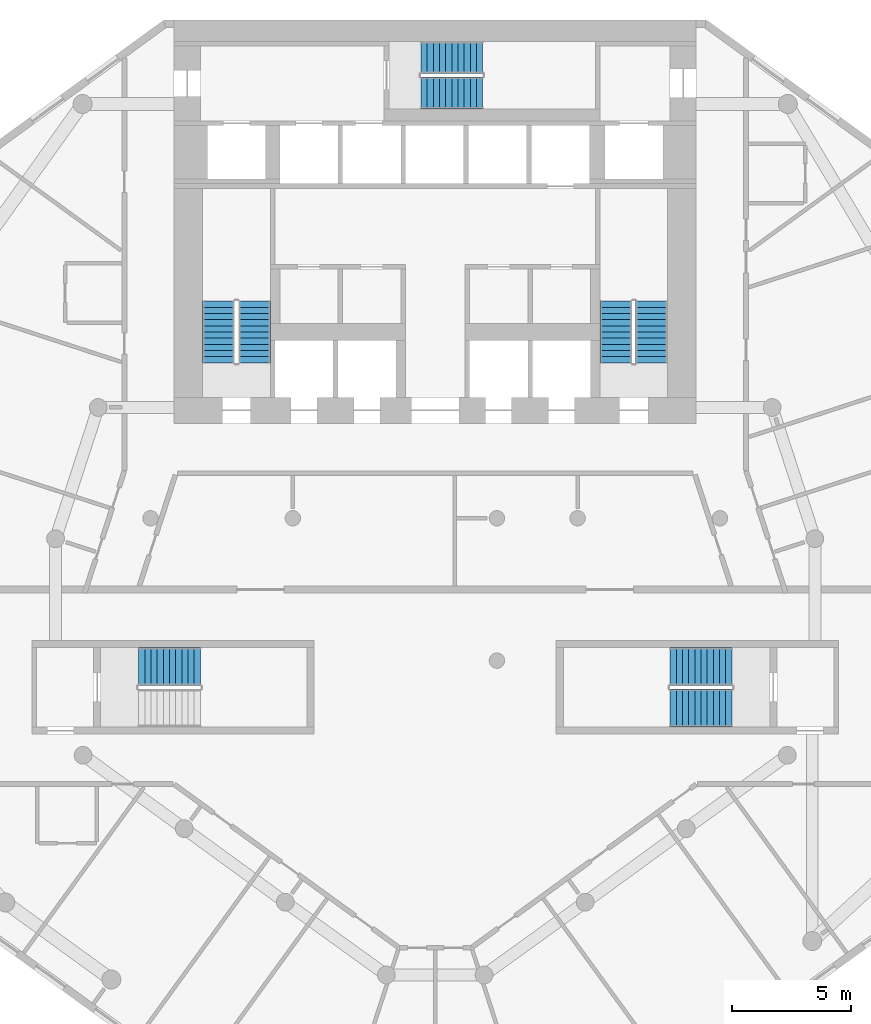
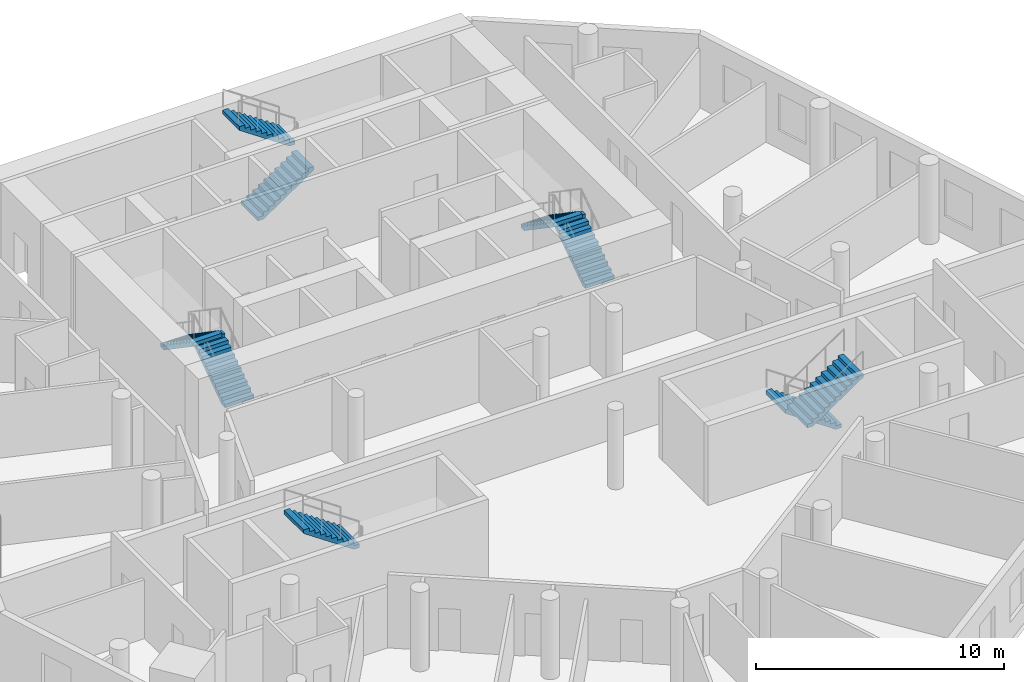
# One storey, part 7 of 9: 9 stair flights, 5 elements without a shape of their own.
"""IFC4 building model written with IfcOpenShell, lengths in metres."""

from ifc_helpers import new_model, si_unit, direction, frame, origin, place, context, subcontext, project, spatial, polyline, outline, extrude, material, layer, layer_set, type_object, element, aggregate, save


model = new_model("IFC4")

# Units and contexts
model_context = context("Model", 3, precision=1e-05, world=origin(), true_north=direction((0.0, 1.0)))
body_context = subcontext(model_context, "Body", "Model", "MODEL_VIEW")
ifc_project = project(units=[si_unit("LENGTHUNIT", "METRE"), si_unit("AREAUNIT", "SQUARE_METRE"), si_unit("VOLUMEUNIT", "CUBIC_METRE"), si_unit("PLANEANGLEUNIT", "RADIAN"), si_unit("MASSUNIT", "GRAM", prefix="KILO")], contexts=[model_context])

# Site, building, storey
site_placement = place(None, origin())
site = spatial("IfcSite", under=ifc_project, at=site_placement, CompositionType="ELEMENT")
building_placement = place(site_placement, origin())
building = spatial("IfcBuilding", under=site, at=building_placement, Name="White Candle Pilgrim Tower", CompositionType="ELEMENT")
storey_placement = place(building_placement, frame((0.0, 0.0, 98.60009765625)))
storey = spatial("IfcBuildingStorey", under=building, at=storey_placement, Name="L21", CompositionType="ELEMENT", Elevation=98.60009765625)

# Stair, stair flights
ifc_material = material(Name="Concrete C40/50", Category="concrete")
stair_type_1 = type_object("IfcStairType", Name="Exit stair 1 flight width 1350 mm", PredefinedType="HALF_TURN_STAIR", material=ifc_material)
stair_1_placement = place(storey_placement, origin())
stair_1 = element("IfcStair", 1, at=stair_1_placement, inside=storey, type_object=stair_type_1, Name="L21 stair 1", PredefinedType="NOTDEFINED")
ifc_layer = layer(ifc_material, 0.14990234375)
ifc_layer_set = layer_set([ifc_layer], Name="Stair flight Concrete C40/50")
stair_flight_type = type_object("IfcStairFlightType", Name="Stair flight Concrete C40/50", PredefinedType="STRAIGHT", material=ifc_layer_set)
stair_flight_1_placement = place(storey_placement, frame((62.375, 73.550048828125, 0.0), z_axis=(0.0, 0.0, 1.0), x_axis=(0.0, 1.0, 0.0)))
stair_flight_1 = element("IfcStairFlight", 2, at=stair_flight_1_placement, type_object=stair_flight_type, Name="ST1 flight 1", NumberOfRisers=11, NumberOfTreads=10, PredefinedType="NOTDEFINED", RiserHeight=0.177272727, TreadLength=0.26, context=body_context, shape_type="SweptSolid", body=[
    extrude(outline(polyline([(0.0, 0.0), (0.0, 0.17724609375), (0.260009765625, 0.17724609375), (0.260009765625, 0.3544921875), (0.52001953125, 0.3544921875), (0.52001953125, 0.53173828125), (0.780029296875, 0.53173828125), (0.780029296875, 0.708984375), (1.0400390625, 0.708984375), (1.0400390625, 0.886474609375), (1.300048828125, 0.886474609375), (1.300048828125, 1.063720703125), (1.56005859375, 1.063720703125), (1.56005859375, 1.240966796875), (1.820068359375, 1.240966796875), (1.820068359375, 1.418212890625), (2.080078125, 1.418212890625), (2.080078125, 1.595458984375), (2.340087890625, 1.595458984375), (2.340087890625, 1.772705078125), (2.60009765625, 1.772705078125), (2.60009765625, 1.949951171875), (2.60009765625, 1.59130859375), (0.26611328125, 0.0), (0.0, 0.0)])), frame((0.0, 0.675048828125, 0.0), z_axis=(0.0, -1.0, 0.0), x_axis=(1.0, 0.0, 0.0)), (0.0, 0.0, 1.0), 1.35009765625),
])
stair_flight_2_placement = place(storey_placement, frame((60.875, 76.14990234375, 1.949951171875), z_axis=(0.0, 0.0, 1.0), x_axis=(0.0, -1.0, 0.0)))
stair_flight_2 = element("IfcStairFlight", 3, at=stair_flight_2_placement, type_object=stair_flight_type, Name="ST1 flight 2", NumberOfRisers=11, NumberOfTreads=10, PredefinedType="NOTDEFINED", RiserHeight=0.177272727, TreadLength=0.26, context=body_context, shape_type="SweptSolid", body=[
    extrude(outline(polyline([(0.0, 0.0), (0.0, 0.17724609375), (0.260009765625, 0.17724609375), (0.260009765625, 0.3544921875), (0.52001953125, 0.3544921875), (0.52001953125, 0.53173828125), (0.780029296875, 0.53173828125), (0.780029296875, 0.708984375), (1.0400390625, 0.708984375), (1.0400390625, 0.886474609375), (1.300048828125, 0.886474609375), (1.300048828125, 1.063720703125), (1.56005859375, 1.063720703125), (1.56005859375, 1.240966796875), (1.820068359375, 1.240966796875), (1.820068359375, 1.418212890625), (2.080078125, 1.418212890625), (2.080078125, 1.595458984375), (2.340087890625, 1.595458984375), (2.340087890625, 1.772705078125), (2.60009765625, 1.772705078125), (2.60009765625, 1.949951171875), (2.60009765625, 1.59130859375), (0.26611328125, 0.0), (0.0, 0.0)])), frame((0.0, 0.675048828125, 0.0), z_axis=(0.0, -1.0, 0.0), x_axis=(1.0, 0.0, 0.0)), (0.0, 0.0, 1.0), 1.35009765625),
])
aggregate(stair_1, [stair_flight_1, stair_flight_2])

stair_type_2 = type_object("IfcStairType", Name="Exit stair 2 flight width 1350 mm", PredefinedType="HALF_TURN_STAIR", material=ifc_material)
stair_2_placement = place(storey_placement, origin())
stair_2 = element("IfcStair", 4, at=stair_2_placement, inside=storey, type_object=stair_type_2, Name="L21 stair 2", PredefinedType="NOTDEFINED")
stair_flight_3_placement = place(storey_placement, frame((79.125, 73.550048828125, 0.0), z_axis=(0.0, 0.0, 1.0), x_axis=(0.0, 1.0, 0.0)))
stair_flight_3 = element("IfcStairFlight", 5, at=stair_flight_3_placement, type_object=stair_flight_type, Name="ST2 flight 1", NumberOfRisers=11, NumberOfTreads=10, PredefinedType="NOTDEFINED", RiserHeight=0.177272727, TreadLength=0.26, context=body_context, shape_type="SweptSolid", body=[
    extrude(outline(polyline([(0.0, 0.0), (0.0, 0.17724609375), (0.260009765625, 0.17724609375), (0.260009765625, 0.3544921875), (0.52001953125, 0.3544921875), (0.52001953125, 0.53173828125), (0.780029296875, 0.53173828125), (0.780029296875, 0.708984375), (1.0400390625, 0.708984375), (1.0400390625, 0.886474609375), (1.300048828125, 0.886474609375), (1.300048828125, 1.063720703125), (1.56005859375, 1.063720703125), (1.56005859375, 1.240966796875), (1.820068359375, 1.240966796875), (1.820068359375, 1.418212890625), (2.080078125, 1.418212890625), (2.080078125, 1.595458984375), (2.340087890625, 1.595458984375), (2.340087890625, 1.772705078125), (2.60009765625, 1.772705078125), (2.60009765625, 1.949951171875), (2.60009765625, 1.59130859375), (0.26611328125, 0.0), (0.0, 0.0)])), frame((0.0, 0.675048828125, 0.0), z_axis=(0.0, -1.0, 0.0), x_axis=(1.0, 0.0, 0.0)), (0.0, 0.0, 1.0), 1.35009765625),
])
stair_flight_4_placement = place(storey_placement, frame((77.625, 76.14990234375, 1.949951171875), z_axis=(0.0, 0.0, 1.0), x_axis=(0.0, -1.0, 0.0)))
stair_flight_4 = element("IfcStairFlight", 6, at=stair_flight_4_placement, type_object=stair_flight_type, Name="ST2 flight 2", NumberOfRisers=11, NumberOfTreads=10, PredefinedType="NOTDEFINED", RiserHeight=0.177272727, TreadLength=0.26, context=body_context, shape_type="SweptSolid", body=[
    extrude(outline(polyline([(0.0, 0.0), (0.0, 0.17724609375), (0.260009765625, 0.17724609375), (0.260009765625, 0.3544921875), (0.52001953125, 0.3544921875), (0.52001953125, 0.53173828125), (0.780029296875, 0.53173828125), (0.780029296875, 0.708984375), (1.0400390625, 0.708984375), (1.0400390625, 0.886474609375), (1.300048828125, 0.886474609375), (1.300048828125, 1.063720703125), (1.56005859375, 1.063720703125), (1.56005859375, 1.240966796875), (1.820068359375, 1.240966796875), (1.820068359375, 1.418212890625), (2.080078125, 1.418212890625), (2.080078125, 1.595458984375), (2.340087890625, 1.595458984375), (2.340087890625, 1.772705078125), (2.60009765625, 1.772705078125), (2.60009765625, 1.949951171875), (2.60009765625, 1.59130859375), (0.26611328125, 0.0), (0.0, 0.0)])), frame((0.0, 0.675048828125, 0.0), z_axis=(0.0, -1.0, 0.0), x_axis=(1.0, 0.0, 0.0)), (0.0, 0.0, 1.0), 1.35009765625),
])
aggregate(stair_2, [stair_flight_3, stair_flight_4])

stair_type_3 = type_object("IfcStairType", Name="Exit stair 3 flight width 1350 mm", PredefinedType="HALF_TURN_STAIR", material=ifc_material)
stair_3_placement = place(storey_placement, origin())
stair_3 = element("IfcStair", 7, at=stair_3_placement, inside=storey, type_object=stair_type_3, Name="L21 stair 3", PredefinedType="NOTDEFINED")
stair_flight_5_placement = place(storey_placement, frame((69.39990234375, 84.925048828125, 0.0), z_axis=(0.0, 0.0, 1.0), x_axis=(1.0, 0.0, 0.0)))
stair_flight_5 = element("IfcStairFlight", 8, at=stair_flight_5_placement, type_object=stair_flight_type, Name="ST3 flight 1", NumberOfRisers=11, NumberOfTreads=10, PredefinedType="NOTDEFINED", RiserHeight=0.177272727, TreadLength=0.26, context=body_context, shape_type="SweptSolid", body=[
    extrude(outline(polyline([(0.0, 0.0), (0.0, 0.17724609375), (0.260009765625, 0.17724609375), (0.260009765625, 0.3544921875), (0.52001953125, 0.3544921875), (0.52001953125, 0.53173828125), (0.780029296875, 0.53173828125), (0.780029296875, 0.708984375), (1.0400390625, 0.708984375), (1.0400390625, 0.886474609375), (1.300048828125, 0.886474609375), (1.300048828125, 1.063720703125), (1.56005859375, 1.063720703125), (1.56005859375, 1.240966796875), (1.820068359375, 1.240966796875), (1.820068359375, 1.418212890625), (2.080078125, 1.418212890625), (2.080078125, 1.595458984375), (2.340087890625, 1.595458984375), (2.340087890625, 1.772705078125), (2.60009765625, 1.772705078125), (2.60009765625, 1.949951171875), (2.60009765625, 1.59130859375), (0.26611328125, 0.0), (0.0, 0.0)])), frame((0.0, 0.675048828125, 0.0), z_axis=(0.0, -1.0, 0.0), x_axis=(1.0, 0.0, 0.0)), (0.0, 0.0, 1.0), 1.35009765625),
])
stair_flight_6_placement = place(storey_placement, frame((72.0, 86.425048828125, 1.949951171875), z_axis=(0.0, 0.0, 1.0), x_axis=(-1.0, 0.0, 0.0)))
stair_flight_6 = element("IfcStairFlight", 9, at=stair_flight_6_placement, type_object=stair_flight_type, Name="ST3 flight 2", NumberOfRisers=11, NumberOfTreads=10, PredefinedType="NOTDEFINED", RiserHeight=0.177272727, TreadLength=0.26, context=body_context, shape_type="SweptSolid", body=[
    extrude(outline(polyline([(0.0, 0.0), (0.0, 0.17724609375), (0.260009765625, 0.17724609375), (0.260009765625, 0.3544921875), (0.52001953125, 0.3544921875), (0.52001953125, 0.53173828125), (0.780029296875, 0.53173828125), (0.780029296875, 0.708984375), (1.0400390625, 0.708984375), (1.0400390625, 0.886474609375), (1.300048828125, 0.886474609375), (1.300048828125, 1.063720703125), (1.56005859375, 1.063720703125), (1.56005859375, 1.240966796875), (1.820068359375, 1.240966796875), (1.820068359375, 1.418212890625), (2.080078125, 1.418212890625), (2.080078125, 1.595458984375), (2.340087890625, 1.595458984375), (2.340087890625, 1.772705078125), (2.60009765625, 1.772705078125), (2.60009765625, 1.949951171875), (2.60009765625, 1.59130859375), (0.26611328125, 0.0), (0.0, 0.0)])), frame((0.0, 0.675048828125, 0.0), z_axis=(0.0, -1.0, 0.0), x_axis=(1.0, 0.0, 0.0)), (0.0, 0.0, 1.0), 1.35009765625),
])
aggregate(stair_3, [stair_flight_5, stair_flight_6])

stair_type_4 = type_object("IfcStairType", Name="Exit stair 4 flight width 1600 mm", PredefinedType="HALF_TURN_STAIR", material=ifc_material)
stair_4_placement = place(storey_placement, origin())
stair_4 = element("IfcStair", 10, at=stair_4_placement, inside=storey, type_object=stair_type_4, Name="L21 stair 4", PredefinedType="NOTDEFINED")
stair_flight_7_placement = place(storey_placement, frame((82.5, 60.75, 0.0), z_axis=(0.0, 0.0, 1.0), x_axis=(-1.0, 0.0, 0.0)))
stair_flight_7 = element("IfcStairFlight", 11, at=stair_flight_7_placement, type_object=stair_flight_type, Name="ST4 flight 1", NumberOfRisers=11, NumberOfTreads=10, PredefinedType="NOTDEFINED", RiserHeight=0.177272727, TreadLength=0.26, context=body_context, shape_type="SweptSolid", body=[
    extrude(outline(polyline([(0.0, 0.0), (0.0, 0.17724609375), (0.260009765625, 0.17724609375), (0.260009765625, 0.3544921875), (0.52001953125, 0.3544921875), (0.52001953125, 0.53173828125), (0.780029296875, 0.53173828125), (0.780029296875, 0.708984375), (1.0400390625, 0.708984375), (1.0400390625, 0.886474609375), (1.300048828125, 0.886474609375), (1.300048828125, 1.063720703125), (1.56005859375, 1.063720703125), (1.56005859375, 1.240966796875), (1.820068359375, 1.240966796875), (1.820068359375, 1.418212890625), (2.080078125, 1.418212890625), (2.080078125, 1.595458984375), (2.340087890625, 1.595458984375), (2.340087890625, 1.772705078125), (2.60009765625, 1.772705078125), (2.60009765625, 1.949951171875), (2.60009765625, 1.59130859375), (0.26611328125, 0.0), (0.0, 0.0)])), frame((0.0, 0.800048828125, 0.0), z_axis=(0.0, -1.0, 0.0), x_axis=(1.0, 0.0, 0.0)), (0.0, 0.0, 1.0), 1.60009765625),
])
stair_flight_8_placement = place(storey_placement, frame((79.89990234375, 59.0, 1.949951171875), z_axis=(0.0, 0.0, 1.0), x_axis=(1.0, 0.0, 0.0)))
stair_flight_8 = element("IfcStairFlight", 12, at=stair_flight_8_placement, type_object=stair_flight_type, Name="ST4 flight 2", NumberOfRisers=11, NumberOfTreads=10, PredefinedType="NOTDEFINED", RiserHeight=0.177272727, TreadLength=0.26, context=body_context, shape_type="SweptSolid", body=[
    extrude(outline(polyline([(0.0, 0.0), (0.0, 0.17724609375), (0.260009765625, 0.17724609375), (0.260009765625, 0.3544921875), (0.52001953125, 0.3544921875), (0.52001953125, 0.53173828125), (0.780029296875, 0.53173828125), (0.780029296875, 0.708984375), (1.0400390625, 0.708984375), (1.0400390625, 0.886474609375), (1.300048828125, 0.886474609375), (1.300048828125, 1.063720703125), (1.56005859375, 1.063720703125), (1.56005859375, 1.240966796875), (1.820068359375, 1.240966796875), (1.820068359375, 1.418212890625), (2.080078125, 1.418212890625), (2.080078125, 1.595458984375), (2.340087890625, 1.595458984375), (2.340087890625, 1.772705078125), (2.60009765625, 1.772705078125), (2.60009765625, 1.949951171875), (2.60009765625, 1.59130859375), (0.26611328125, 0.0), (0.0, 0.0)])), frame((0.0, 0.800048828125, 0.0), z_axis=(0.0, -1.0, 0.0), x_axis=(1.0, 0.0, 0.0)), (0.0, 0.0, 1.0), 1.60009765625),
])
aggregate(stair_4, [stair_flight_7, stair_flight_8])

# Stair, stair flight
stair_type_5 = type_object("IfcStairType", Name="Exit stair 5 flight width 1600 mm", PredefinedType="HALF_TURN_STAIR", material=ifc_material)
stair_5_placement = place(storey_placement, origin())
stair_5 = element("IfcStair", 13, at=stair_5_placement, inside=storey, type_object=stair_type_5, Name="L21 stair 5", PredefinedType="NOTDEFINED")
stair_flight_9_placement = place(storey_placement, frame((60.10009765625, 60.75, 1.949951171875), z_axis=(0.0, 0.0, 1.0), x_axis=(-1.0, 0.0, 0.0)))
stair_flight_9 = element("IfcStairFlight", 14, at=stair_flight_9_placement, type_object=stair_flight_type, Name="ST5 flight 2", NumberOfRisers=11, NumberOfTreads=10, PredefinedType="NOTDEFINED", RiserHeight=0.177272727, TreadLength=0.26, context=body_context, shape_type="SweptSolid", body=[
    extrude(outline(polyline([(0.0, 0.0), (0.0, 0.17724609375), (0.260009765625, 0.17724609375), (0.260009765625, 0.3544921875), (0.52001953125, 0.3544921875), (0.52001953125, 0.53173828125), (0.780029296875, 0.53173828125), (0.780029296875, 0.708984375), (1.0400390625, 0.708984375), (1.0400390625, 0.886474609375), (1.300048828125, 0.886474609375), (1.300048828125, 1.063720703125), (1.56005859375, 1.063720703125), (1.56005859375, 1.240966796875), (1.820068359375, 1.240966796875), (1.820068359375, 1.418212890625), (2.080078125, 1.418212890625), (2.080078125, 1.595458984375), (2.340087890625, 1.595458984375), (2.340087890625, 1.772705078125), (2.60009765625, 1.772705078125), (2.60009765625, 1.949951171875), (2.60009765625, 1.59130859375), (0.26611328125, 0.0), (0.0, 0.0)])), frame((0.0, 0.800048828125, 0.0), z_axis=(0.0, -1.0, 0.0), x_axis=(1.0, 0.0, 0.0)), (0.0, 0.0, 1.0), 1.60009765625),
])
aggregate(stair_5, [stair_flight_9])

save(model, "model.ifc")
